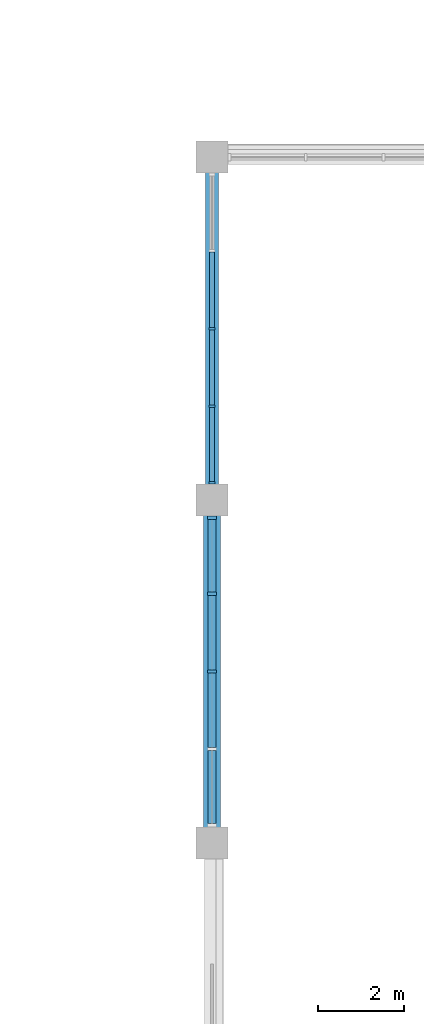
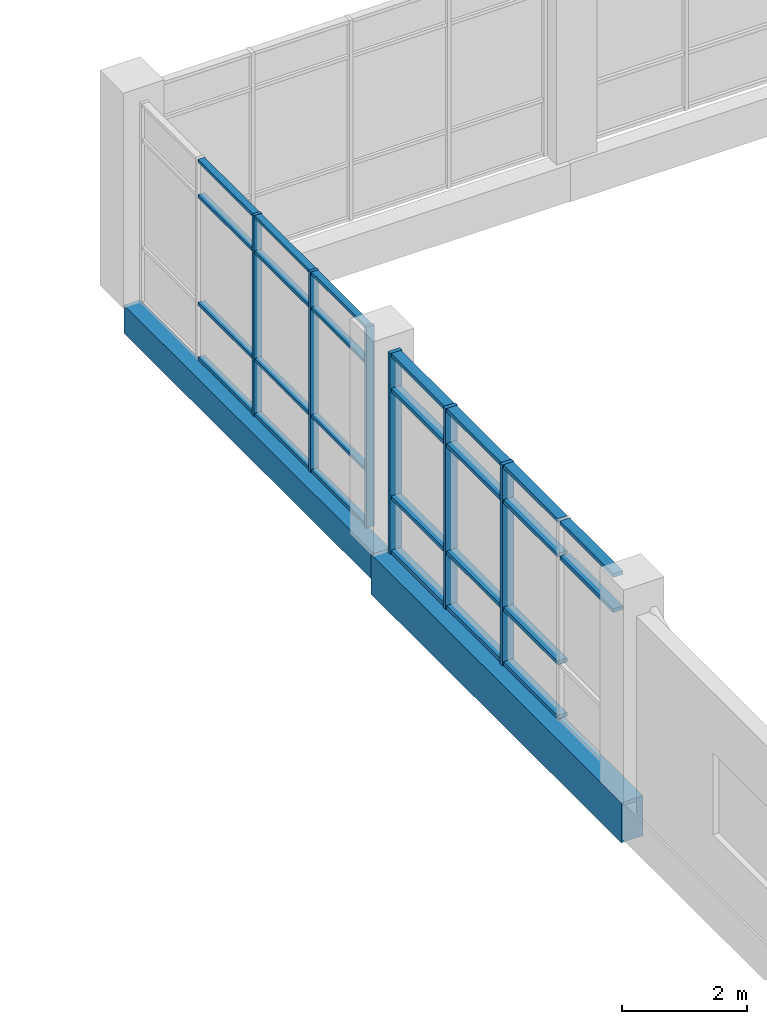
# One storey, part 14 of 72: 32 members, 2 beams, 2 elements without a shape of their own.
"""IFC4 building model written with IfcOpenShell, lengths in metres."""

from ifc_helpers import new_model, si_unit, direction, frame, origin, origin_2d, place, context, subcontext, project, spatial, rectangle, extrude, material, material_profile, profile_set, type_object, element, aggregate, save


model = new_model("IFC4")

# Units and contexts
model_context = context("Model", 3, precision=1e-05, world=origin(), true_north=direction((0.0, 1.0)))
body_context = subcontext(model_context, "Body", "Model", "MODEL_VIEW")
ifc_project = project(units=[si_unit("LENGTHUNIT", "METRE"), si_unit("AREAUNIT", "SQUARE_METRE"), si_unit("VOLUMEUNIT", "CUBIC_METRE"), si_unit("PLANEANGLEUNIT", "RADIAN"), si_unit("MASSUNIT", "GRAM", prefix="KILO")], contexts=[model_context])

# Site, building, storey
site_placement = place(None, origin())
site = spatial("IfcSite", under=ifc_project, at=site_placement, CompositionType="ELEMENT")
building_placement = place(site_placement, origin())
building = spatial("IfcBuilding", under=site, at=building_placement, Name="Tenunan Teduh Sports Hall", CompositionType="ELEMENT")
storey_placement = place(building_placement, frame((0.0, 0.0, 15.0)))
storey = spatial("IfcBuildingStorey", under=building, at=storey_placement, Name="L03", CompositionType="ELEMENT", Elevation=15.0)

# Beams
ifc_material_1 = material(Name="Concrete C40/50", Category="concrete")
ifc_material_profile_1 = material_profile(ifc_material_1, rectangle(XDim=0.300048828125, YDim=0.550048828125, at=origin_2d()), Name="RCB 300x550")
ifc_profile_set_1 = profile_set([ifc_material_profile_1], Name="Concrete C40/50")
beam_type_1 = type_object("IfcBeamType", Name="BM-RC-300x550", PredefinedType="BEAM", material=ifc_profile_set_1)
beam_1_placement = place(storey_placement, frame((122.0, 70.0, -0.514892578125), z_axis=(0.0, 1.0, 0.0), x_axis=(-1.0, 0.0, 0.0)))
element("IfcBeam", 1, at=beam_1_placement, inside=storey, type_object=beam_type_1, Name="BM-B-02-L03-1939", PredefinedType="BEAM", context=body_context, shape_type="SweptSolid", body=[
    extrude(rectangle(XDim=0.300048828125, YDim=0.550048828125, at=origin_2d()), origin(), (0.0, 0.0, 1.0), 8.0),
])
ifc_material_2 = material(Name="Concrete C40/50", Category="concrete")
ifc_material_profile_2 = material_profile(ifc_material_2, rectangle(XDim=0.39990234375, YDim=0.780029296875, at=origin_2d()), Name="TB 400x780")
ifc_profile_set_2 = profile_set([ifc_material_profile_2], Name="Concrete C40/50")
beam_type_2 = type_object("IfcBeamType", Name="BM-TB-400x780", PredefinedType="T_BEAM", material=ifc_profile_set_2)
beam_2_placement = place(storey_placement, frame((122.0, 62.0, -0.6298828125), z_axis=(0.0, 1.0, 0.0), x_axis=(-1.0, 0.0, 0.0)))
element("IfcBeam", 2, at=beam_2_placement, inside=storey, type_object=beam_type_2, Name="BM-TB-02-L03-1938", PredefinedType="T_BEAM", context=body_context, shape_type="SweptSolid", body=[
    extrude(rectangle(XDim=0.39990234375, YDim=0.780029296875, at=origin_2d()), origin(), (0.0, 0.0, 1.0), 8.0),
])

# Curtain wall, members
ifc_material_3 = material(Name="Anodised aluminium", Category="aluminium")
curtain_wall_type = type_object("IfcCurtainWallType", Name="CW-UNIT-2", PredefinedType="NOTDEFINED", material=ifc_material_3)
curtain_wall_1_placement = place(storey_placement, origin())
curtain_wall_1 = element("IfcCurtainWall", 3, at=curtain_wall_1_placement, inside=storey, type_object=curtain_wall_type, Name="CW-CWM-150-L03-151", PredefinedType="NOTDEFINED")
ifc_material_4 = material(Name="Anodised aluminium", Category="aluminium")
ifc_material_profile_3 = material_profile(ifc_material_4, rectangle(XDim=0.06005859375, YDim=0.14990234375, at=origin_2d()), Name="CWM 60x150")
ifc_profile_set_3 = profile_set([ifc_material_profile_3], Name="Anodised aluminium")
member_type_1 = type_object("IfcMemberType", Name="CWM-150", PredefinedType="MULLION", material=ifc_profile_set_3)
member_1_placement = place(storey_placement, frame((122.0, 70.405029296875, 0.0), z_axis=(0.0, 0.0, 1.0), x_axis=(0.0, 1.0, 0.0)))
member_1 = element("IfcMember", 4, at=member_1_placement, type_object=member_type_1, Name="CW-02 mullion 1", PredefinedType="MULLION", context=body_context, shape_type="SweptSolid", body=[
    extrude(rectangle(XDim=0.06005859375, YDim=0.14990234375, at=origin_2d()), origin(), (0.0, 0.0, 1.0), 3.919921875),
])
member_2_placement = place(storey_placement, frame((122.0, 72.1875, 0.0), z_axis=(0.0, 0.0, 1.0), x_axis=(0.0, 1.0, 0.0)))
member_2 = element("IfcMember", 5, at=member_2_placement, type_object=member_type_1, Name="CW-02 mullion 2", PredefinedType="MULLION", context=body_context, shape_type="SweptSolid", body=[
    extrude(rectangle(XDim=0.06005859375, YDim=0.14990234375, at=origin_2d()), origin(), (0.0, 0.0, 1.0), 3.919921875),
])
member_3_placement = place(storey_placement, frame((122.0, 74.0, 0.0), z_axis=(0.0, 0.0, 1.0), x_axis=(0.0, 1.0, 0.0)))
member_3 = element("IfcMember", 6, at=member_3_placement, type_object=member_type_1, Name="CW-02 mullion 3", PredefinedType="MULLION", context=body_context, shape_type="SweptSolid", body=[
    extrude(rectangle(XDim=0.06005859375, YDim=0.14990234375, at=origin_2d()), origin(), (0.0, 0.0, 1.0), 3.919921875),
])

curtain_wall_2_placement = place(storey_placement, origin())
curtain_wall_2 = element("IfcCurtainWall", 7, at=curtain_wall_2_placement, inside=storey, type_object=curtain_wall_type, Name="CW-CWM-220-L03-149", PredefinedType="NOTDEFINED")
ifc_material_5 = material(Name="Anodised aluminium", Category="aluminium")
ifc_material_profile_4 = material_profile(ifc_material_5, rectangle(XDim=0.074951171875, YDim=0.219970703125, at=origin_2d()), Name="CWM 75x220")
ifc_profile_set_4 = profile_set([ifc_material_profile_4], Name="Anodised aluminium")
member_type_2 = type_object("IfcMemberType", Name="CWM-220", PredefinedType="MULLION", material=ifc_profile_set_4)
member_4_placement = place(storey_placement, frame((122.0, 66.0, 0.0), z_axis=(0.0, 0.0, 1.0), x_axis=(0.0, 1.0, 0.0)))
member_4 = element("IfcMember", 8, at=member_4_placement, type_object=member_type_2, Name="CW-02 mullion 3", PredefinedType="MULLION", context=body_context, shape_type="SweptSolid", body=[
    extrude(rectangle(XDim=0.074951171875, YDim=0.219970703125, at=origin_2d()), origin(), (0.0, 0.0, 1.0), 3.919921875),
])
member_5_placement = place(storey_placement, frame((122.0, 67.8125, 0.0), z_axis=(0.0, 0.0, 1.0), x_axis=(0.0, 1.0, 0.0)))
member_5 = element("IfcMember", 9, at=member_5_placement, type_object=member_type_2, Name="CW-02 mullion 4", PredefinedType="MULLION", context=body_context, shape_type="SweptSolid", body=[
    extrude(rectangle(XDim=0.074951171875, YDim=0.219970703125, at=origin_2d()), origin(), (0.0, 0.0, 1.0), 3.919921875),
])
member_6_placement = place(storey_placement, frame((122.0, 69.58740234375, 0.0), z_axis=(0.0, 0.0, 1.0), x_axis=(0.0, 1.0, 0.0)))
member_6 = element("IfcMember", 10, at=member_6_placement, type_object=member_type_2, Name="CW-02 mullion 5", PredefinedType="MULLION", context=body_context, shape_type="SweptSolid", body=[
    extrude(rectangle(XDim=0.074951171875, YDim=0.219970703125, at=origin_2d()), origin(), (0.0, 0.0, 1.0), 3.919921875),
])

# Member
ifc_material_6 = material(Name="Anodised aluminium", Category="aluminium")
ifc_material_profile_5 = material_profile(ifc_material_6, rectangle(XDim=0.06005859375, YDim=0.1201171875, at=origin_2d()), Name="CWT 60x120")
ifc_profile_set_5 = profile_set([ifc_material_profile_5], Name="Anodised aluminium")
member_type_3 = type_object("IfcMemberType", Name="CWT-125", PredefinedType="USERDEFINED", material=ifc_profile_set_5)
member_7_placement = place(storey_placement, frame((122.0, 70.43505859375, 0.030029296875), z_axis=(0.0, 1.0, 0.0), x_axis=(0.0, 0.0, 1.0)))
member_7 = element("IfcMember", 11, at=member_7_placement, type_object=member_type_3, Name="CW-02 transom 1.1", ObjectType="TRANSOM", PredefinedType="USERDEFINED", context=body_context, shape_type="SweptSolid", body=[
    extrude(rectangle(XDim=0.06005859375, YDim=0.1201171875, at=origin_2d()), origin(), (0.0, 0.0, 1.0), 1.722412109375),
])

member_8_placement = place(storey_placement, frame((122.0, 70.43505859375, 1.10009765625), z_axis=(0.0, 1.0, 0.0), x_axis=(0.0, 0.0, 1.0)))
member_8 = element("IfcMember", 12, at=member_8_placement, type_object=member_type_3, Name="CW-02 transom 1.2", ObjectType="TRANSOM", PredefinedType="USERDEFINED", context=body_context, shape_type="SweptSolid", body=[
    extrude(rectangle(XDim=0.06005859375, YDim=0.1201171875, at=origin_2d()), origin(), (0.0, 0.0, 1.0), 1.722412109375),
])

member_9_placement = place(storey_placement, frame((122.0, 70.43505859375, 3.199951171875), z_axis=(0.0, 1.0, 0.0), x_axis=(0.0, 0.0, 1.0)))
member_9 = element("IfcMember", 13, at=member_9_placement, type_object=member_type_3, Name="CW-02 transom 1.3", ObjectType="TRANSOM", PredefinedType="USERDEFINED", context=body_context, shape_type="SweptSolid", body=[
    extrude(rectangle(XDim=0.06005859375, YDim=0.1201171875, at=origin_2d()), origin(), (0.0, 0.0, 1.0), 1.722412109375),
])

member_10_placement = place(storey_placement, frame((122.0, 70.43505859375, 3.889892578125), z_axis=(0.0, 1.0, 0.0), x_axis=(0.0, 0.0, 1.0)))
member_10 = element("IfcMember", 14, at=member_10_placement, type_object=member_type_3, Name="CW-02 transom 1.4", ObjectType="TRANSOM", PredefinedType="USERDEFINED", context=body_context, shape_type="SweptSolid", body=[
    extrude(rectangle(XDim=0.06005859375, YDim=0.1201171875, at=origin_2d()), origin(), (0.0, 0.0, 1.0), 1.722412109375),
])

member_11_placement = place(storey_placement, frame((122.0, 72.217529296875, 0.030029296875), z_axis=(0.0, 1.0, 0.0), x_axis=(0.0, 0.0, 1.0)))
member_11 = element("IfcMember", 15, at=member_11_placement, type_object=member_type_3, Name="CW-02 transom 2.1", ObjectType="TRANSOM", PredefinedType="USERDEFINED", context=body_context, shape_type="SweptSolid", body=[
    extrude(rectangle(XDim=0.06005859375, YDim=0.1201171875, at=origin_2d()), origin(), (0.0, 0.0, 1.0), 1.75244140625),
])

member_12_placement = place(storey_placement, frame((122.0, 72.217529296875, 1.10009765625), z_axis=(0.0, 1.0, 0.0), x_axis=(0.0, 0.0, 1.0)))
member_12 = element("IfcMember", 16, at=member_12_placement, type_object=member_type_3, Name="CW-02 transom 2.2", ObjectType="TRANSOM", PredefinedType="USERDEFINED", context=body_context, shape_type="SweptSolid", body=[
    extrude(rectangle(XDim=0.06005859375, YDim=0.1201171875, at=origin_2d()), origin(), (0.0, 0.0, 1.0), 1.75244140625),
])

member_13_placement = place(storey_placement, frame((122.0, 72.217529296875, 3.199951171875), z_axis=(0.0, 1.0, 0.0), x_axis=(0.0, 0.0, 1.0)))
member_13 = element("IfcMember", 17, at=member_13_placement, type_object=member_type_3, Name="CW-02 transom 2.3", ObjectType="TRANSOM", PredefinedType="USERDEFINED", context=body_context, shape_type="SweptSolid", body=[
    extrude(rectangle(XDim=0.06005859375, YDim=0.1201171875, at=origin_2d()), origin(), (0.0, 0.0, 1.0), 1.75244140625),
])

member_14_placement = place(storey_placement, frame((122.0, 72.217529296875, 3.889892578125), z_axis=(0.0, 1.0, 0.0), x_axis=(0.0, 0.0, 1.0)))
member_14 = element("IfcMember", 18, at=member_14_placement, type_object=member_type_3, Name="CW-02 transom 2.4", ObjectType="TRANSOM", PredefinedType="USERDEFINED", context=body_context, shape_type="SweptSolid", body=[
    extrude(rectangle(XDim=0.06005859375, YDim=0.1201171875, at=origin_2d()), origin(), (0.0, 0.0, 1.0), 1.75244140625),
])

member_15_placement = place(storey_placement, frame((122.0, 74.030029296875, 0.030029296875), z_axis=(0.0, 1.0, 0.0), x_axis=(0.0, 0.0, 1.0)))
member_15 = element("IfcMember", 19, at=member_15_placement, type_object=member_type_3, Name="CW-02 transom 3.1", ObjectType="TRANSOM", PredefinedType="USERDEFINED", context=body_context, shape_type="SweptSolid", body=[
    extrude(rectangle(XDim=0.06005859375, YDim=0.1201171875, at=origin_2d()), origin(), (0.0, 0.0, 1.0), 1.75244140625),
])

member_16_placement = place(storey_placement, frame((122.0, 74.030029296875, 1.10009765625), z_axis=(0.0, 1.0, 0.0), x_axis=(0.0, 0.0, 1.0)))
member_16 = element("IfcMember", 20, at=member_16_placement, type_object=member_type_3, Name="CW-02 transom 3.2", ObjectType="TRANSOM", PredefinedType="USERDEFINED", context=body_context, shape_type="SweptSolid", body=[
    extrude(rectangle(XDim=0.06005859375, YDim=0.1201171875, at=origin_2d()), origin(), (0.0, 0.0, 1.0), 1.75244140625),
])

member_17_placement = place(storey_placement, frame((122.0, 74.030029296875, 3.199951171875), z_axis=(0.0, 1.0, 0.0), x_axis=(0.0, 0.0, 1.0)))
member_17 = element("IfcMember", 21, at=member_17_placement, type_object=member_type_3, Name="CW-02 transom 3.3", ObjectType="TRANSOM", PredefinedType="USERDEFINED", context=body_context, shape_type="SweptSolid", body=[
    extrude(rectangle(XDim=0.06005859375, YDim=0.1201171875, at=origin_2d()), origin(), (0.0, 0.0, 1.0), 1.75244140625),
])

member_18_placement = place(storey_placement, frame((122.0, 74.030029296875, 3.889892578125), z_axis=(0.0, 1.0, 0.0), x_axis=(0.0, 0.0, 1.0)))
member_18 = element("IfcMember", 22, at=member_18_placement, type_object=member_type_3, Name="CW-02 transom 3.4", ObjectType="TRANSOM", PredefinedType="USERDEFINED", context=body_context, shape_type="SweptSolid", body=[
    extrude(rectangle(XDim=0.06005859375, YDim=0.1201171875, at=origin_2d()), origin(), (0.0, 0.0, 1.0), 1.75244140625),
])

aggregate(curtain_wall_1, [member_1, member_2, member_3, member_7, member_8, member_9, member_10, member_11, member_12, member_13, member_14, member_15, member_16, member_17, member_18])

ifc_material_7 = material(Name="Anodised aluminium", Category="aluminium")
ifc_material_profile_6 = material_profile(ifc_material_7, rectangle(XDim=0.074951171875, YDim=0.179931640625, at=origin_2d()), Name="CWT 75x180")
ifc_profile_set_6 = profile_set([ifc_material_profile_6], Name="Anodised aluminium")
member_type_4 = type_object("IfcMemberType", Name="CWT-180", PredefinedType="USERDEFINED", material=ifc_profile_set_6)
member_19_placement = place(storey_placement, frame((122.0, 62.449951171875, 3.199951171875), z_axis=(0.0, 1.0, 0.0), x_axis=(0.0, 0.0, 1.0)))
member_19 = element("IfcMember", 23, at=member_19_placement, type_object=member_type_4, Name="CW-02 transom 1.3", ObjectType="TRANSOM", PredefinedType="USERDEFINED", context=body_context, shape_type="SweptSolid", body=[
    extrude(rectangle(XDim=0.074951171875, YDim=0.179931640625, at=origin_2d()), origin(), (0.0, 0.0, 1.0), 1.699951171875),
])

member_20_placement = place(storey_placement, frame((122.0, 62.449951171875, 3.882568359375), z_axis=(0.0, 1.0, 0.0), x_axis=(0.0, 0.0, 1.0)))
member_20 = element("IfcMember", 24, at=member_20_placement, type_object=member_type_4, Name="CW-02 transom 1.4", ObjectType="TRANSOM", PredefinedType="USERDEFINED", context=body_context, shape_type="SweptSolid", body=[
    extrude(rectangle(XDim=0.074951171875, YDim=0.179931640625, at=origin_2d()), origin(), (0.0, 0.0, 1.0), 1.699951171875),
])

member_21_placement = place(storey_placement, frame((122.0, 64.22509765625, 0.03759765625), z_axis=(0.0, 1.0, 0.0), x_axis=(0.0, 0.0, 1.0)))
member_21 = element("IfcMember", 25, at=member_21_placement, type_object=member_type_4, Name="CW-02 transom 2.1", ObjectType="TRANSOM", PredefinedType="USERDEFINED", context=body_context, shape_type="SweptSolid", body=[
    extrude(rectangle(XDim=0.074951171875, YDim=0.179931640625, at=origin_2d()), origin(), (0.0, 0.0, 1.0), 1.7373046875),
])

member_22_placement = place(storey_placement, frame((122.0, 64.22509765625, 1.10009765625), z_axis=(0.0, 1.0, 0.0), x_axis=(0.0, 0.0, 1.0)))
member_22 = element("IfcMember", 26, at=member_22_placement, type_object=member_type_4, Name="CW-02 transom 2.2", ObjectType="TRANSOM", PredefinedType="USERDEFINED", context=body_context, shape_type="SweptSolid", body=[
    extrude(rectangle(XDim=0.074951171875, YDim=0.179931640625, at=origin_2d()), origin(), (0.0, 0.0, 1.0), 1.7373046875),
])

member_23_placement = place(storey_placement, frame((122.0, 64.22509765625, 3.199951171875), z_axis=(0.0, 1.0, 0.0), x_axis=(0.0, 0.0, 1.0)))
member_23 = element("IfcMember", 27, at=member_23_placement, type_object=member_type_4, Name="CW-02 transom 2.3", ObjectType="TRANSOM", PredefinedType="USERDEFINED", context=body_context, shape_type="SweptSolid", body=[
    extrude(rectangle(XDim=0.074951171875, YDim=0.179931640625, at=origin_2d()), origin(), (0.0, 0.0, 1.0), 1.7373046875),
])

member_24_placement = place(storey_placement, frame((122.0, 64.22509765625, 3.882568359375), z_axis=(0.0, 1.0, 0.0), x_axis=(0.0, 0.0, 1.0)))
member_24 = element("IfcMember", 28, at=member_24_placement, type_object=member_type_4, Name="CW-02 transom 2.4", ObjectType="TRANSOM", PredefinedType="USERDEFINED", context=body_context, shape_type="SweptSolid", body=[
    extrude(rectangle(XDim=0.074951171875, YDim=0.179931640625, at=origin_2d()), origin(), (0.0, 0.0, 1.0), 1.7373046875),
])

member_25_placement = place(storey_placement, frame((122.0, 66.03759765625, 0.03759765625), z_axis=(0.0, 1.0, 0.0), x_axis=(0.0, 0.0, 1.0)))
member_25 = element("IfcMember", 29, at=member_25_placement, type_object=member_type_4, Name="CW-02 transom 3.1", ObjectType="TRANSOM", PredefinedType="USERDEFINED", context=body_context, shape_type="SweptSolid", body=[
    extrude(rectangle(XDim=0.074951171875, YDim=0.179931640625, at=origin_2d()), origin(), (0.0, 0.0, 1.0), 1.7373046875),
])

member_26_placement = place(storey_placement, frame((122.0, 66.03759765625, 1.10009765625), z_axis=(0.0, 1.0, 0.0), x_axis=(0.0, 0.0, 1.0)))
member_26 = element("IfcMember", 30, at=member_26_placement, type_object=member_type_4, Name="CW-02 transom 3.2", ObjectType="TRANSOM", PredefinedType="USERDEFINED", context=body_context, shape_type="SweptSolid", body=[
    extrude(rectangle(XDim=0.074951171875, YDim=0.179931640625, at=origin_2d()), origin(), (0.0, 0.0, 1.0), 1.7373046875),
])

member_27_placement = place(storey_placement, frame((122.0, 66.03759765625, 3.199951171875), z_axis=(0.0, 1.0, 0.0), x_axis=(0.0, 0.0, 1.0)))
member_27 = element("IfcMember", 31, at=member_27_placement, type_object=member_type_4, Name="CW-02 transom 3.3", ObjectType="TRANSOM", PredefinedType="USERDEFINED", context=body_context, shape_type="SweptSolid", body=[
    extrude(rectangle(XDim=0.074951171875, YDim=0.179931640625, at=origin_2d()), origin(), (0.0, 0.0, 1.0), 1.7373046875),
])

member_28_placement = place(storey_placement, frame((122.0, 66.03759765625, 3.882568359375), z_axis=(0.0, 1.0, 0.0), x_axis=(0.0, 0.0, 1.0)))
member_28 = element("IfcMember", 32, at=member_28_placement, type_object=member_type_4, Name="CW-02 transom 3.4", ObjectType="TRANSOM", PredefinedType="USERDEFINED", context=body_context, shape_type="SweptSolid", body=[
    extrude(rectangle(XDim=0.074951171875, YDim=0.179931640625, at=origin_2d()), origin(), (0.0, 0.0, 1.0), 1.7373046875),
])

member_29_placement = place(storey_placement, frame((122.0, 67.85009765625, 0.03759765625), z_axis=(0.0, 1.0, 0.0), x_axis=(0.0, 0.0, 1.0)))
member_29 = element("IfcMember", 33, at=member_29_placement, type_object=member_type_4, Name="CW-02 transom 4.1", ObjectType="TRANSOM", PredefinedType="USERDEFINED", context=body_context, shape_type="SweptSolid", body=[
    extrude(rectangle(XDim=0.074951171875, YDim=0.179931640625, at=origin_2d()), origin(), (0.0, 0.0, 1.0), 1.699951171875),
])

member_30_placement = place(storey_placement, frame((122.0, 67.85009765625, 1.10009765625), z_axis=(0.0, 1.0, 0.0), x_axis=(0.0, 0.0, 1.0)))
member_30 = element("IfcMember", 34, at=member_30_placement, type_object=member_type_4, Name="CW-02 transom 4.2", ObjectType="TRANSOM", PredefinedType="USERDEFINED", context=body_context, shape_type="SweptSolid", body=[
    extrude(rectangle(XDim=0.074951171875, YDim=0.179931640625, at=origin_2d()), origin(), (0.0, 0.0, 1.0), 1.699951171875),
])

member_31_placement = place(storey_placement, frame((122.0, 67.85009765625, 3.199951171875), z_axis=(0.0, 1.0, 0.0), x_axis=(0.0, 0.0, 1.0)))
member_31 = element("IfcMember", 35, at=member_31_placement, type_object=member_type_4, Name="CW-02 transom 4.3", ObjectType="TRANSOM", PredefinedType="USERDEFINED", context=body_context, shape_type="SweptSolid", body=[
    extrude(rectangle(XDim=0.074951171875, YDim=0.179931640625, at=origin_2d()), origin(), (0.0, 0.0, 1.0), 1.699951171875),
])

member_32_placement = place(storey_placement, frame((122.0, 67.85009765625, 3.882568359375), z_axis=(0.0, 1.0, 0.0), x_axis=(0.0, 0.0, 1.0)))
member_32 = element("IfcMember", 36, at=member_32_placement, type_object=member_type_4, Name="CW-02 transom 4.4", ObjectType="TRANSOM", PredefinedType="USERDEFINED", context=body_context, shape_type="SweptSolid", body=[
    extrude(rectangle(XDim=0.074951171875, YDim=0.179931640625, at=origin_2d()), origin(), (0.0, 0.0, 1.0), 1.699951171875),
])

aggregate(curtain_wall_2, [member_4, member_5, member_6, member_19, member_20, member_21, member_22, member_23, member_24, member_25, member_26, member_27, member_28, member_29, member_30, member_31, member_32])

save(model, "model.ifc")
